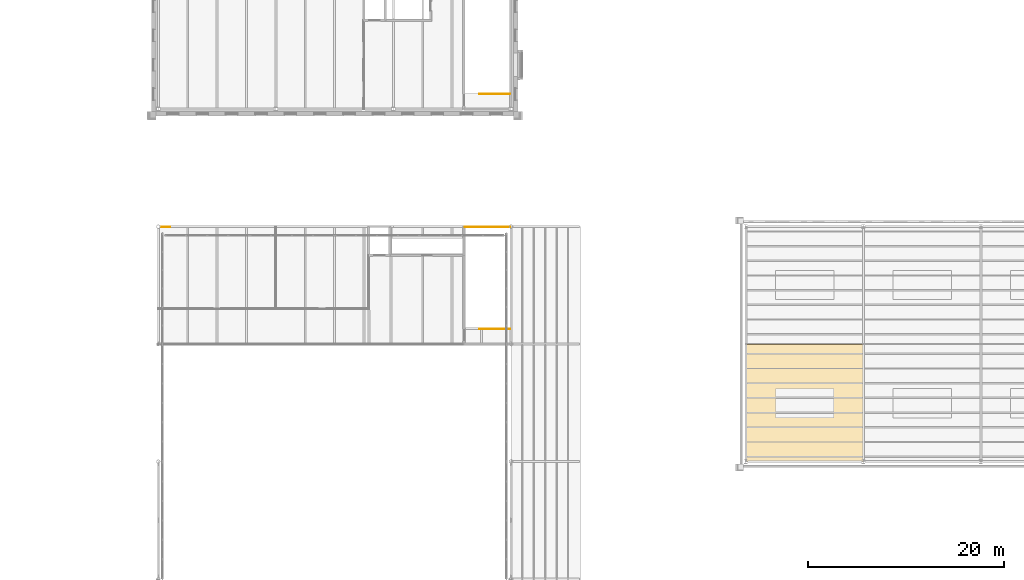
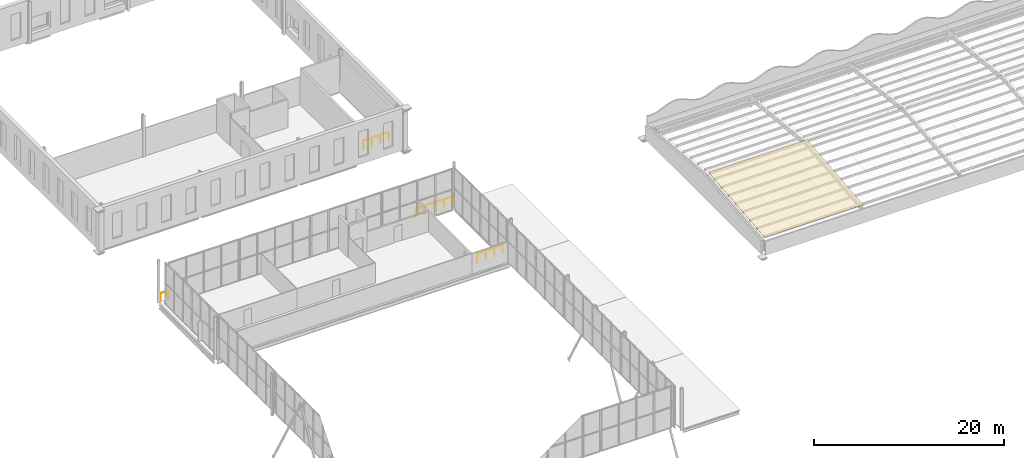
# One storey, part 165 of 170: 4 railings, 1 covering.
"""IFC4 building model written with IfcOpenShell, lengths in metres."""

import ifcopenshell
import ifcopenshell.guid

model = None  # the IFC model being written
_history = None  # IfcOwnerHistory: only IFC2X3 demands one
_inside = {}  # id of a spatial element -> (the spatial element, [elements in it])
_under = {}  # id of a project, library or spatial element -> (it, [spatial elements below it])
_declared = {}  # id of a project -> (the project, [libraries it declares])
_typed = {}  # id of a type object -> (the type object, [elements of that type])
_made_of = {}  # id of a material, layer set ... -> (it, [elements and type objects made of it])


def new_model(schema):
    """Start an empty IFC model of exactly this schema.

    Asked for "IFC4X3", IfcOpenShell would pick the latest addendum, in which some entities
    have other attributes; the version numbers below select the first issue.
    IFC2X3 requires an IfcOwnerHistory on every rooted entity: one is made here for all.
    """
    global model, _history
    if schema == "IFC4X3":
        model = ifcopenshell.file(schema_version=(4, 3, 0, 0))
    else:
        model = ifcopenshell.file(schema=schema)
    _inside.clear()
    _under.clear()
    _declared.clear()
    _typed.clear()
    _made_of.clear()
    _history = None
    if model.schema == "IFC2X3":
        org = make("IfcOrganization", Name="unknown")
        user = make(
            "IfcPersonAndOrganization",
            ThePerson=make("IfcPerson", FamilyName="unknown"),
            TheOrganization=org,
        )
        app = make(
            "IfcApplication",
            ApplicationDeveloper=org,
            Version="unknown",
            ApplicationFullName="unknown",
            ApplicationIdentifier="unknown",
        )
        _history = make(
            "IfcOwnerHistory",
            OwningUser=user,
            OwningApplication=app,
            ChangeAction="ADDED",
            CreationDate=0,
        )
    return model


def make(cls, **values):
    """One entity of the class cls with the attributes given. An attribute that is None is left unset."""
    return model.create_entity(
        cls, **{name: value for name, value in values.items() if value is not None}
    )


def rooted(cls, **values):
    """An entity with a GlobalId (a new one), such as an element, a storey or a relation."""
    return make(cls, GlobalId=ifcopenshell.guid.new(), OwnerHistory=_history, **values)


def si_unit(unit_type, name, prefix=None):
    """IfcSIUnit, for example si_unit("LENGTHUNIT", "METRE", prefix="MILLI")."""
    return make("IfcSIUnit", UnitType=unit_type, Prefix=prefix, Name=name)


def assignment(units):
    """IfcUnitAssignment: the units of a project."""
    return None if units is None else make("IfcUnitAssignment", Units=units)


def point(xyz):
    """IfcCartesianPoint."""
    return None if xyz is None else make("IfcCartesianPoint", Coordinates=xyz)


def direction(xyz):
    """IfcDirection."""
    return None if xyz is None else make("IfcDirection", DirectionRatios=xyz)


def frame(location, z_axis=None, x_axis=None):
    """IfcAxis2Placement3D, a coordinate frame: its origin and axes. An axis left out is left unset."""
    return make(
        "IfcAxis2Placement3D",
        Location=point(location),
        Axis=direction(z_axis),
        RefDirection=direction(x_axis),
    )


def frame_2d(location, x_axis=None):
    """IfcAxis2Placement2D, a coordinate frame in the plane: its origin and x axis."""
    return make(
        "IfcAxis2Placement2D", Location=point(location), RefDirection=direction(x_axis)
    )


def origin():
    """The frame at (0, 0, 0) with its axes left unset."""
    return frame((0.0, 0.0, 0.0))


def origin_2d():
    """The frame at (0, 0) in the plane with its x axis left unset."""
    return frame_2d((0.0, 0.0))


def place(relative_to, where):
    """IfcLocalPlacement: puts the frame where relative to a parent placement (None: the world)."""
    return make(
        "IfcLocalPlacement", PlacementRelTo=relative_to, RelativePlacement=where
    )


def context(
    kind, dimensions, precision=None, world=None, true_north=None, identifier=None
):
    """IfcGeometricRepresentationContext, for example the 3D "Model" context."""
    return make(
        "IfcGeometricRepresentationContext",
        ContextIdentifier=identifier,
        ContextType=kind,
        CoordinateSpaceDimension=dimensions,
        Precision=precision,
        WorldCoordinateSystem=world,
        TrueNorth=true_north,
    )


def subcontext(parent, identifier, kind, view, scale=None):
    """IfcGeometricRepresentationSubContext, for example "Body" below "Model"."""
    return make(
        "IfcGeometricRepresentationSubContext",
        ContextIdentifier=identifier,
        ContextType=kind,
        ParentContext=parent,
        TargetScale=scale,
        TargetView=view,
    )


def project(units=None, contexts=None):
    """IfcProject with its units and contexts."""
    return rooted(
        "IfcProject",
        Name="project",
        RepresentationContexts=contexts,
        UnitsInContext=assignment(units),
    )


def spatial(cls, under=None, at=None, **own):
    """A site, building, storey or space (cls), placed at a placement, below another one or the project."""
    s = rooted(cls, ObjectPlacement=at, **own)
    if under is not None:
        _under.setdefault(under.id(), (under, []))[1].append(s)
    return s


def polyline(points):
    """IfcPolyline through the points."""
    return make("IfcPolyline", Points=[point(p) for p in points])


def profile(cls, at=None, kind="AREA", **sizes):
    """A parametric profile (cls). Its sizes go by their IFC names, for example OverallWidth=200.0."""
    return make(cls, ProfileType=kind, Position=at, **sizes)


def circle(**sizes):
    """IfcCircleProfileDef."""
    return profile("IfcCircleProfileDef", **sizes)


def outline(outer, holes=None, kind="AREA"):
    """IfcArbitraryClosedProfileDef: a profile drawn as a closed curve; with holes, ...WithVoids."""
    if holes is None:
        return make("IfcArbitraryClosedProfileDef", ProfileType=kind, OuterCurve=outer)
    return make(
        "IfcArbitraryProfileDefWithVoids",
        ProfileType=kind,
        OuterCurve=outer,
        InnerCurves=holes,
    )


def extrude(swept, where, along, depth):
    """IfcExtrudedAreaSolid: the profile swept, set in the frame where, extruded along a direction by depth."""
    return make(
        "IfcExtrudedAreaSolid",
        SweptArea=swept,
        Position=where,
        ExtrudedDirection=direction(along),
        Depth=depth,
    )


def shape(context_of_items, identifier, shape_type, items):
    """IfcShapeRepresentation: the items that make up one representation, for example the "Body"."""
    return make(
        "IfcShapeRepresentation",
        ContextOfItems=context_of_items,
        RepresentationIdentifier=identifier,
        RepresentationType=shape_type,
        Items=items,
    )


def material(Name=None, Category=None):
    """IfcMaterial."""
    return make("IfcMaterial", Name=Name, Category=Category)


def layer(
    of_material, thickness, ventilated=None, Name=None, Category=None, Priority=None
):
    """IfcMaterialLayer: one layer of a wall or slab, of a material (None: an air gap)."""
    return make(
        "IfcMaterialLayer",
        Material=of_material,
        LayerThickness=thickness,
        IsVentilated=ventilated,
        Name=Name,
        Category=Category,
        Priority=Priority,
    )


def layer_set(layers, Name=None):
    """IfcMaterialLayerSet."""
    return make("IfcMaterialLayerSet", MaterialLayers=layers, LayerSetName=Name)


def made_of(thing, what):
    """Note that an element or type object is made of a material, layer set ...; save() writes the relation."""
    if what is not None:
        _made_of.setdefault(what.id(), (what, []))[1].append(thing)
    return thing


def type_object(cls, material=None, **own):
    """A type object (cls), such as IfcWallType, which elements share."""
    return made_of(rooted(cls, **own), material)


def element(
    cls,
    number,
    at=None,
    inside=None,
    cuts=None,
    type_object=None,
    material=None,
    context=None,
    identifier="Body",
    shape_type=None,
    held_by="IfcProductDefinitionShape",
    body=None,
    shapes=None,
    **own,
):
    """One element of the class cls, such as IfcWall. Its Tag is "e" and its number.

    at: its placement. inside: the storey or other place that contains it. cuts: it is an
    opening in that element (IfcRelVoidsElement). A single representation is given by context,
    identifier, shape_type and body (its items); several are given by shapes. held_by: the class
    of the entity that holds the representations. save() writes the other relations.
    """
    e = rooted(cls, Tag="e%d" % number, ObjectPlacement=at, **own)
    if body is not None:
        shapes = [shape(context, identifier, shape_type, body)]
    if shapes is not None:
        e.Representation = make(held_by, Representations=shapes)
    if inside is not None:
        _inside.setdefault(inside.id(), (inside, []))[1].append(e)
    if cuts is not None:
        rooted(
            "IfcRelVoidsElement", RelatingBuildingElement=cuts, RelatedOpeningElement=e
        )
    if type_object is not None:
        _typed.setdefault(type_object.id(), (type_object, []))[1].append(e)
    return made_of(e, material)


def aggregate(whole, parts):
    """IfcRelAggregates: a whole, such as a stair, and the parts it consists of."""
    return rooted("IfcRelAggregates", RelatingObject=whole, RelatedObjects=parts)


def save(model, path):
    """Write the relations noted so far, then the file.

    IfcRelAggregates (storeys below a building ...), IfcRelContainedInSpatialStructure (elements
    in a storey), IfcRelDefinesByType, IfcRelAssociatesMaterial and IfcRelDeclares: one each for
    every whole, place, type object, material and project.
    """
    for whole, parts in _under.values():
        aggregate(whole, parts)
    for where, things in _inside.values():
        rooted(
            "IfcRelContainedInSpatialStructure",
            RelatedElements=things,
            RelatingStructure=where,
        )
    for kind, things in _typed.values():
        rooted("IfcRelDefinesByType", RelatedObjects=things, RelatingType=kind)
    for what, things in _made_of.values():
        rooted("IfcRelAssociatesMaterial", RelatedObjects=things, RelatingMaterial=what)
    for by, libraries in _declared.values():
        rooted("IfcRelDeclares", RelatingContext=by, RelatedDefinitions=libraries)
    model.write(path)


model = new_model("IFC4")

# Units and contexts
model_context = context("Model", 3, precision=1e-05, world=origin(), true_north=direction((0.0, 1.0)))
body_context = subcontext(model_context, "Body", "Model", "MODEL_VIEW")
ifc_project = project(units=[si_unit("LENGTHUNIT", "METRE"), si_unit("AREAUNIT", "SQUARE_METRE"), si_unit("VOLUMEUNIT", "CUBIC_METRE"), si_unit("PLANEANGLEUNIT", "RADIAN"), si_unit("MASSUNIT", "GRAM", prefix="KILO")], contexts=[model_context])

# Site, building, storey
site_placement = place(None, origin())
site = spatial("IfcSite", under=ifc_project, at=site_placement, CompositionType="ELEMENT")
building_placement = place(site_placement, origin())
building = spatial("IfcBuilding", under=site, at=building_placement, Name="Ravi Spectrum Wholesale Market", CompositionType="ELEMENT")
storey_placement = place(building_placement, frame((0.0, 0.0, 5.39990234375)))
storey = spatial("IfcBuildingStorey", under=building, at=storey_placement, Name="L01", CompositionType="ELEMENT", Elevation=5.39990234375)

# Railings
ifc_material_1 = material(Name="Steel S355", Category="steel")
railing_type = type_object("IfcRailingType", Name="Guard 1100", PredefinedType="GUARDRAIL", material=ifc_material_1)
railing_1_placement = place(storey_placement, frame((197.89990234375, 199.550048828125, 0.0)))
element("IfcRailing", 1, at=railing_1_placement, inside=storey, type_object=railing_type, Name="L01 S-AU-1 top well guard 1", PredefinedType="GUARDRAIL", context=body_context, shape_type="SweptSolid", body=[
    extrude(circle(Radius=0.02392578125, at=origin_2d()), frame((0.0, 0.0, 1.076171875), z_axis=(-1.0, 0.0, 0.0), x_axis=(0.0, -1.0, 0.0)), (0.0, 0.0, 1.0), 3.099853515625),
    extrude(circle(Radius=0.02099609375, at=origin_2d()), origin(), (0.0, 0.0, 1.0), 1.052001953125),
    extrude(circle(Radius=0.02099609375, at=origin_2d()), frame((-1.033203125, 0.0, 0.0)), (0.0, 0.0, 1.0), 1.052001953125),
    extrude(circle(Radius=0.02099609375, at=origin_2d()), frame((-2.066650390625, 0.0, 0.0)), (0.0, 0.0, 1.0), 1.052001953125),
    extrude(circle(Radius=0.02099609375, at=origin_2d()), frame((-3.099853515625, 0.0, 0.0)), (0.0, 0.0, 1.0), 1.052001953125),
])
railing_2_placement = place(storey_placement, frame((193.300048828125, 185.949951171875, 0.0)))
element("IfcRailing", 2, at=railing_2_placement, inside=storey, type_object=railing_type, Name="H3-RL-S-H3-1-WELL-0", PredefinedType="GUARDRAIL", context=body_context, shape_type="SweptSolid", body=[
    extrude(circle(Radius=0.02392578125, at=origin_2d()), frame((0.0, 0.0, 1.076171875), z_axis=(1.0, 0.0, 0.0), x_axis=(0.0, 1.0, 0.0)), (0.0, 0.0, 1.0), 4.599853515625),
    extrude(circle(Radius=0.02099609375, at=origin_2d()), origin(), (0.0, 0.0, 1.0), 1.052001953125),
    extrude(circle(Radius=0.02099609375, at=origin_2d()), frame((1.14990234375, 0.0, 0.0)), (0.0, 0.0, 1.0), 1.052001953125),
    extrude(circle(Radius=0.02099609375, at=origin_2d()), frame((2.2998046875, 0.0, 0.0)), (0.0, 0.0, 1.0), 1.052001953125),
    extrude(circle(Radius=0.02099609375, at=origin_2d()), frame((3.449951171875, 0.0, 0.0)), (0.0, 0.0, 1.0), 1.052001953125),
    extrude(circle(Radius=0.02099609375, at=origin_2d()), frame((4.599853515625, 0.0, 0.0)), (0.0, 0.0, 1.0), 1.052001953125),
])
railing_3_placement = place(storey_placement, frame((197.89990234375, 175.550048828125, 0.0)))
element("IfcRailing", 3, at=railing_3_placement, inside=storey, type_object=railing_type, Name="L01 S-H3-1 top well guard 1", PredefinedType="GUARDRAIL", context=body_context, shape_type="SweptSolid", body=[
    extrude(circle(Radius=0.02392578125, at=origin_2d()), frame((0.0, 0.0, 1.076171875), z_axis=(-1.0, 0.0, 0.0), x_axis=(0.0, -1.0, 0.0)), (0.0, 0.0, 1.0), 3.099853515625),
    extrude(circle(Radius=0.02099609375, at=origin_2d()), origin(), (0.0, 0.0, 1.0), 1.052001953125),
    extrude(circle(Radius=0.02099609375, at=origin_2d()), frame((-1.033203125, 0.0, 0.0)), (0.0, 0.0, 1.0), 1.052001953125),
    extrude(circle(Radius=0.02099609375, at=origin_2d()), frame((-2.066650390625, 0.0, 0.0)), (0.0, 0.0, 1.0), 1.052001953125),
    extrude(circle(Radius=0.02099609375, at=origin_2d()), frame((-3.099853515625, 0.0, 0.0)), (0.0, 0.0, 1.0), 1.052001953125),
])
railing_4_placement = place(storey_placement, frame((162.25, 185.949951171875, 0.0)))
element("IfcRailing", 4, at=railing_4_placement, inside=storey, type_object=railing_type, Name="H3-RL-L01-NW-CORNER", PredefinedType="GUARDRAIL", context=body_context, shape_type="SweptSolid", body=[
    extrude(circle(Radius=0.02392578125, at=origin_2d()), frame((0.0, 0.0, 1.076171875), z_axis=(1.0, 0.0, 0.0), x_axis=(0.0, 1.0, 0.0)), (0.0, 0.0, 1.0), 0.949951171875),
    extrude(circle(Radius=0.02099609375, at=origin_2d()), origin(), (0.0, 0.0, 1.0), 1.052001953125),
    extrude(circle(Radius=0.02099609375, at=origin_2d()), frame((0.949951171875, 0.0, 0.0)), (0.0, 0.0, 1.0), 1.052001953125),
])

# Covering
ifc_material_2 = material(Name="Zinc standing seam")
ifc_layer = layer(ifc_material_2, 0.0400390625)
ifc_layer_set = layer_set([ifc_layer], Name="Zinc standing seam")
covering_type = type_object("IfcCoveringType", Name="Standing seam roof covering 40", PredefinedType="ROOFING", material=ifc_layer_set)
covering_placement = place(storey_placement, frame((222.0, 173.93994140625, 3.0341796875), z_axis=(0.0, -0.099491632318, 0.995038398806), x_axis=(1.0, 0.0, 0.0)))
element("IfcCovering", 5, at=covering_placement, inside=storey, type_object=covering_type, Name="Roof covering", PredefinedType="ROOFING", context=body_context, shape_type="SweptSolid", body=[
    extrude(outline(polyline([(0.0, 0.0), (12.0, 0.0), (12.0, -11.99947803077354), (0.0, -11.99947803077354), (0.0, 0.0)])), origin(), (0.0, 0.0, -1.0), 0.0400390625),
])

save(model, "model.ifc")
